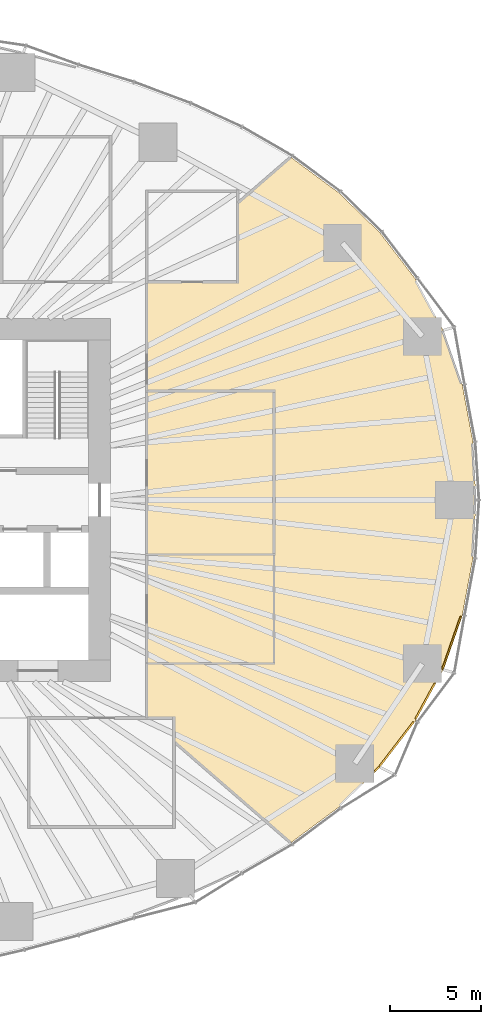
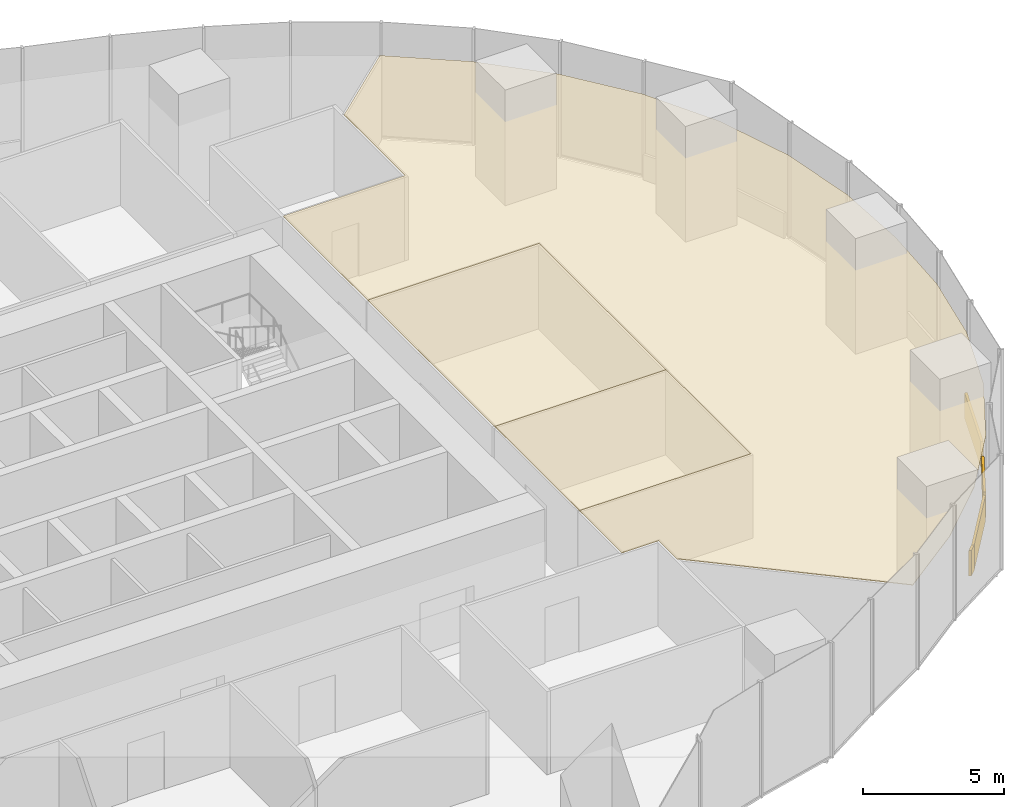
# One storey, part 18 of 20: 7 coverings.
"""IFC4 building model written with IfcOpenShell, lengths in metres."""

from ifc_helpers import new_model, si_unit, direction, frame, origin, origin_2d, place, context, subcontext, project, spatial, polyline, rectangle, outline, extrude, material, layer, layer_set, type_object, element, save


model = new_model("IFC4")

# Units and contexts
model_context = context("Model", 3, precision=1e-05, world=origin(), true_north=direction((0.0, 1.0)))
body_context = subcontext(model_context, "Body", "Model", "MODEL_VIEW")
ifc_project = project(units=[si_unit("LENGTHUNIT", "METRE"), si_unit("AREAUNIT", "SQUARE_METRE"), si_unit("VOLUMEUNIT", "CUBIC_METRE"), si_unit("PLANEANGLEUNIT", "RADIAN"), si_unit("MASSUNIT", "GRAM", prefix="KILO")], contexts=[model_context])

# Site, building, storey
site_placement = place(None, origin())
site = spatial("IfcSite", under=ifc_project, at=site_placement, CompositionType="ELEMENT")
building_placement = place(site_placement, origin())
building = spatial("IfcBuilding", under=site, at=building_placement, Name="Ghaith Harvest Tower", CompositionType="ELEMENT")
storey_placement = place(building_placement, frame((0.0, 0.0, 45.0)))
storey = spatial("IfcBuildingStorey", under=building, at=storey_placement, Name="L09", CompositionType="ELEMENT", Elevation=45.0)

# Coverings
ifc_material_1 = material(Name="Mineral fibre ceiling tile", Category="gypsum")
ifc_layer_1 = layer(ifc_material_1, 0.02490234375)
ifc_layer_set_1 = layer_set([ifc_layer_1], Name="CEILING C2")
covering_type_1 = type_object("IfcCoveringType", Name="CEILING C2", PredefinedType="CEILING", material=ifc_layer_set_1)
covering_1_placement = place(storey_placement, frame((0.0, 0.0, 3.60009765625)))
element("IfcCovering", 1, at=covering_1_placement, inside=storey, type_object=covering_type_1, Name="Ceiling L09-14", PredefinedType="CEILING", context=body_context, shape_type="SweptSolid", body=[
    extrude(outline(polyline([(16.0, -9.0), (23.0, -9.0), (23.0, -3.0), (16.0, -3.0), (16.0, -9.0)])), origin(), (0.0, 0.0, 1.0), 0.02490234375),
])
covering_2_placement = place(storey_placement, frame((0.0, 0.0, 3.60009765625)))
element("IfcCovering", 2, at=covering_2_placement, inside=storey, type_object=covering_type_1, Name="Ceiling L09-15", PredefinedType="CEILING", context=body_context, shape_type="SweptSolid", body=[
    extrude(outline(polyline([(16.0, -3.0), (23.0, -3.0), (23.0, 6.0), (16.0, 6.0), (16.0, -3.0)])), origin(), (0.0, 0.0, 1.0), 0.02490234375),
])
covering_3_placement = place(storey_placement, frame((0.0, 0.0, 3.60009765625)))
element("IfcCovering", 3, at=covering_3_placement, inside=storey, type_object=covering_type_1, Name="Ceiling L09-E1", PredefinedType="CEILING", context=body_context, shape_type="SweptSolid", body=[
    extrude(outline(polyline([(26.572509765625, 16.9111328125), (28.840087890625, 14.708984375), (30.78515625, 12.1708984375), (32.318359375, 9.3408203125), (33.37158203125, 6.333984375), (33.95849609375, 3.194091796875), (34.125, 0.0), (33.95849609375, -3.194091796875), (33.37158203125, -6.333984375), (32.318359375, -9.3408203125), (30.78515625, -12.1708984375), (28.840087890625, -14.708984375), (26.572509765625, -16.9111328125), (23.92431640625, -18.873046875), (17.5, -13.301025390625), (17.5, -12.0), (16.0, -12.0), (16.0, -9.0), (23.0, -9.0), (23.0, 6.0), (16.0, 6.0), (16.0, 12.0), (21.0, 12.0), (21.0, 16.336669921875), (23.92431640625, 18.873046875), (26.572509765625, 16.9111328125)])), origin(), (0.0, 0.0, 1.0), 0.02490234375),
])
ifc_material_2 = material(Name="Insulated aluminium spandrel panel on steel framing", Category="steel")
ifc_layer_2 = layer(ifc_material_2, 0.10009765625)
ifc_layer_set_2 = layer_set([ifc_layer_2], Name="SLAB EDGE UPSTAND 1100x100")
covering_type_2 = type_object("IfcCoveringType", Name="SLAB EDGE UPSTAND 1100x100", PredefinedType="CLADDING", material=ifc_layer_set_2)
covering_4_placement = place(storey_placement, frame((28.674560546875, -14.800048828125, 0.0), z_axis=(0.0, 0.0, 1.0), x_axis=(0.717386427289, 0.69667547247, 0.0)))
element("IfcCovering", 4, at=covering_4_placement, inside=storey, type_object=covering_type_2, Name="Slab edge upstand 1 bay 19 L09", PredefinedType="CLADDING", context=body_context, shape_type="SweptSolid", body=[
    extrude(rectangle(XDim=0.364501953125, YDim=0.10009765625, at=origin_2d()), origin(), (0.0, 0.0, 1.0), 1.10009765625),
])
covering_5_placement = place(storey_placement, frame((29.74267578125, -13.44921875, 0.0), z_axis=(0.0, 0.0, 1.0), x_axis=(0.608255123652, 0.7937415855, 0.0)))
element("IfcCovering", 5, at=covering_5_placement, inside=storey, type_object=covering_type_2, Name="Slab edge upstand 2 bay 19 L09", PredefinedType="CLADDING", context=body_context, shape_type="SweptSolid", body=[
    extrude(rectangle(XDim=3.09765625, YDim=0.10009765625, at=origin_2d()), origin(), (0.0, 0.0, 1.0), 1.10009765625),
])
covering_6_placement = place(storey_placement, frame((31.32177734375, -11.075439453125, 0.0), z_axis=(0.0, 0.0, 1.0), x_axis=(0.4763492928, 0.879256135178, 0.0)))
element("IfcCovering", 6, at=covering_6_placement, inside=storey, type_object=covering_type_2, Name="Slab edge upstand 3 bay 19 L09", PredefinedType="CLADDING", context=body_context, shape_type="SweptSolid", body=[
    extrude(rectangle(XDim=2.237548828125, YDim=0.10009765625, at=origin_2d()), origin(), (0.0, 0.0, 1.0), 1.10009765625),
])
covering_7_placement = place(storey_placement, frame((32.7822265625, -7.865234375, 0.0), z_axis=(0.0, 0.0, 1.0), x_axis=(0.330597697302, 0.943771774604, 0.0)))
element("IfcCovering", 7, at=covering_7_placement, inside=storey, type_object=covering_type_2, Name="Slab edge upstand 1 bay 20 L09", PredefinedType="CLADDING", context=body_context, shape_type="SweptSolid", body=[
    extrude(rectangle(XDim=3.080078125, YDim=0.10009765625, at=origin_2d()), origin(), (0.0, 0.0, 1.0), 1.10009765625),
])

save(model, "model.ifc")
